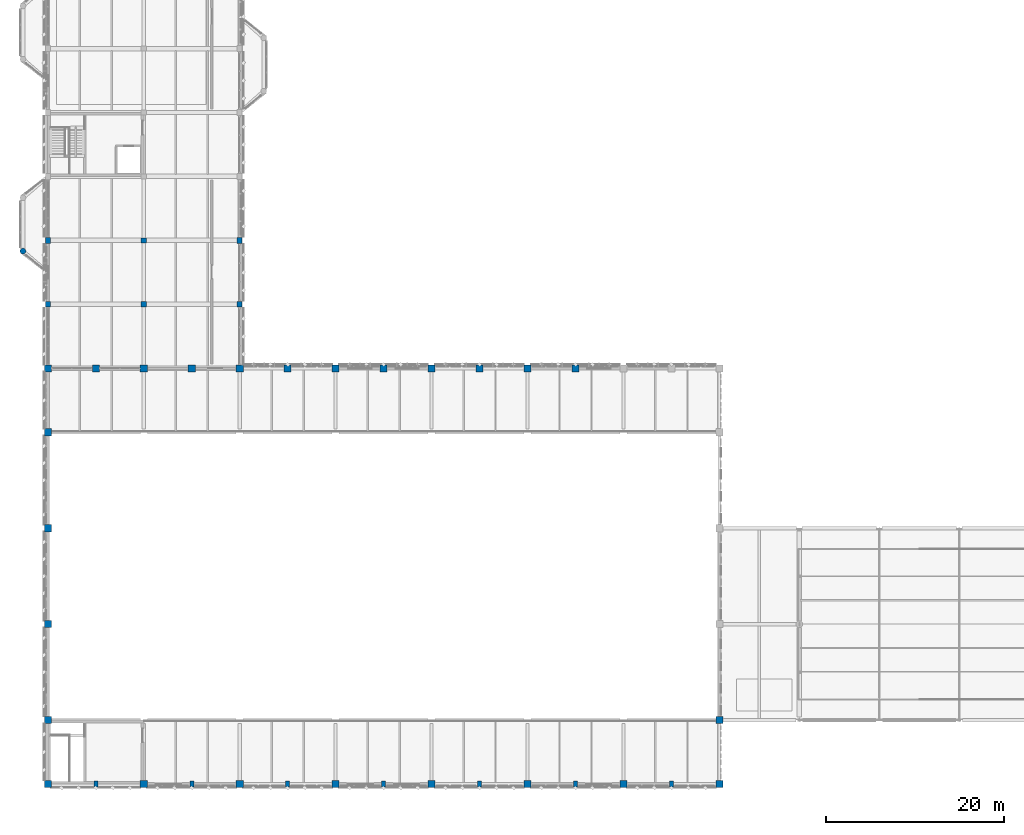
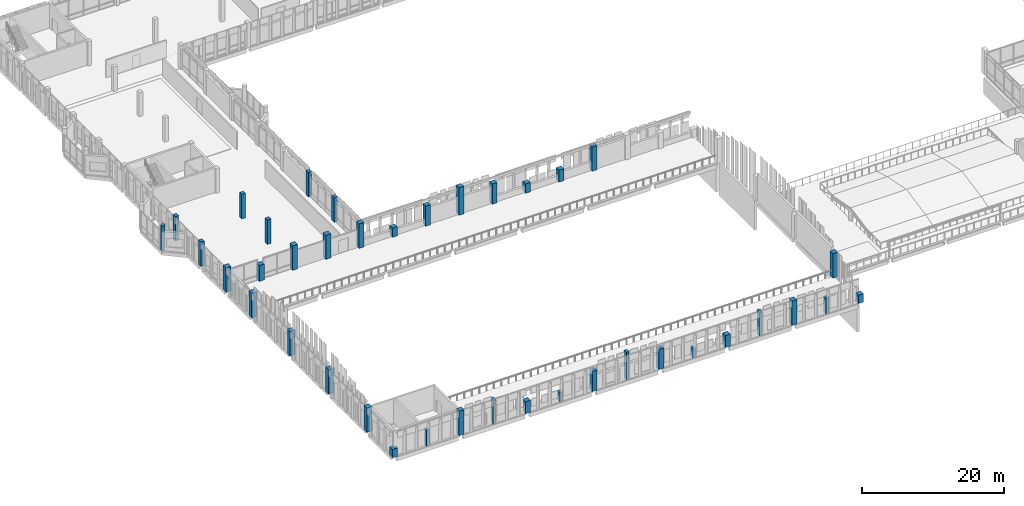
# One storey, part 1 of 158: 39 columns.
"""IFC4 building model written with IfcOpenShell, lengths in metres."""

import ifcopenshell
import ifcopenshell.guid

model = None  # the IFC model being written
_history = None  # IfcOwnerHistory: only IFC2X3 demands one
_inside = {}  # id of a spatial element -> (the spatial element, [elements in it])
_under = {}  # id of a project, library or spatial element -> (it, [spatial elements below it])
_declared = {}  # id of a project -> (the project, [libraries it declares])
_typed = {}  # id of a type object -> (the type object, [elements of that type])
_made_of = {}  # id of a material, layer set ... -> (it, [elements and type objects made of it])


def new_model(schema):
    """Start an empty IFC model of exactly this schema.

    Asked for "IFC4X3", IfcOpenShell would pick the latest addendum, in which some entities
    have other attributes; the version numbers below select the first issue.
    IFC2X3 requires an IfcOwnerHistory on every rooted entity: one is made here for all.
    """
    global model, _history
    if schema == "IFC4X3":
        model = ifcopenshell.file(schema_version=(4, 3, 0, 0))
    else:
        model = ifcopenshell.file(schema=schema)
    _inside.clear()
    _under.clear()
    _declared.clear()
    _typed.clear()
    _made_of.clear()
    _history = None
    if model.schema == "IFC2X3":
        org = make("IfcOrganization", Name="unknown")
        user = make(
            "IfcPersonAndOrganization",
            ThePerson=make("IfcPerson", FamilyName="unknown"),
            TheOrganization=org,
        )
        app = make(
            "IfcApplication",
            ApplicationDeveloper=org,
            Version="unknown",
            ApplicationFullName="unknown",
            ApplicationIdentifier="unknown",
        )
        _history = make(
            "IfcOwnerHistory",
            OwningUser=user,
            OwningApplication=app,
            ChangeAction="ADDED",
            CreationDate=0,
        )
    return model


def make(cls, **values):
    """One entity of the class cls with the attributes given. An attribute that is None is left unset."""
    return model.create_entity(
        cls, **{name: value for name, value in values.items() if value is not None}
    )


def rooted(cls, **values):
    """An entity with a GlobalId (a new one), such as an element, a storey or a relation."""
    return make(cls, GlobalId=ifcopenshell.guid.new(), OwnerHistory=_history, **values)


def si_unit(unit_type, name, prefix=None):
    """IfcSIUnit, for example si_unit("LENGTHUNIT", "METRE", prefix="MILLI")."""
    return make("IfcSIUnit", UnitType=unit_type, Prefix=prefix, Name=name)


def assignment(units):
    """IfcUnitAssignment: the units of a project."""
    return None if units is None else make("IfcUnitAssignment", Units=units)


def point(xyz):
    """IfcCartesianPoint."""
    return None if xyz is None else make("IfcCartesianPoint", Coordinates=xyz)


def direction(xyz):
    """IfcDirection."""
    return None if xyz is None else make("IfcDirection", DirectionRatios=xyz)


def frame(location, z_axis=None, x_axis=None):
    """IfcAxis2Placement3D, a coordinate frame: its origin and axes. An axis left out is left unset."""
    return make(
        "IfcAxis2Placement3D",
        Location=point(location),
        Axis=direction(z_axis),
        RefDirection=direction(x_axis),
    )


def frame_2d(location, x_axis=None):
    """IfcAxis2Placement2D, a coordinate frame in the plane: its origin and x axis."""
    return make(
        "IfcAxis2Placement2D", Location=point(location), RefDirection=direction(x_axis)
    )


def origin():
    """The frame at (0, 0, 0) with its axes left unset."""
    return frame((0.0, 0.0, 0.0))


def origin_with_axes():
    """The frame at (0, 0, 0) with the z axis (0, 0, 1) and the x axis (1, 0, 0) written out."""
    return frame((0.0, 0.0, 0.0), z_axis=(0.0, 0.0, 1.0), x_axis=(1.0, 0.0, 0.0))


def origin_2d():
    """The frame at (0, 0) in the plane with its x axis left unset."""
    return frame_2d((0.0, 0.0))


def place(relative_to, where):
    """IfcLocalPlacement: puts the frame where relative to a parent placement (None: the world)."""
    return make(
        "IfcLocalPlacement", PlacementRelTo=relative_to, RelativePlacement=where
    )


def context(
    kind, dimensions, precision=None, world=None, true_north=None, identifier=None
):
    """IfcGeometricRepresentationContext, for example the 3D "Model" context."""
    return make(
        "IfcGeometricRepresentationContext",
        ContextIdentifier=identifier,
        ContextType=kind,
        CoordinateSpaceDimension=dimensions,
        Precision=precision,
        WorldCoordinateSystem=world,
        TrueNorth=true_north,
    )


def subcontext(parent, identifier, kind, view, scale=None):
    """IfcGeometricRepresentationSubContext, for example "Body" below "Model"."""
    return make(
        "IfcGeometricRepresentationSubContext",
        ContextIdentifier=identifier,
        ContextType=kind,
        ParentContext=parent,
        TargetScale=scale,
        TargetView=view,
    )


def project(units=None, contexts=None):
    """IfcProject with its units and contexts."""
    return rooted(
        "IfcProject",
        Name="project",
        RepresentationContexts=contexts,
        UnitsInContext=assignment(units),
    )


def spatial(cls, under=None, at=None, **own):
    """A site, building, storey or space (cls), placed at a placement, below another one or the project."""
    s = rooted(cls, ObjectPlacement=at, **own)
    if under is not None:
        _under.setdefault(under.id(), (under, []))[1].append(s)
    return s


def profile(cls, at=None, kind="AREA", **sizes):
    """A parametric profile (cls). Its sizes go by their IFC names, for example OverallWidth=200.0."""
    return make(cls, ProfileType=kind, Position=at, **sizes)


def rectangle(**sizes):
    """IfcRectangleProfileDef."""
    return profile("IfcRectangleProfileDef", **sizes)


def circle(**sizes):
    """IfcCircleProfileDef."""
    return profile("IfcCircleProfileDef", **sizes)


def extrude(swept, where, along, depth):
    """IfcExtrudedAreaSolid: the profile swept, set in the frame where, extruded along a direction by depth."""
    return make(
        "IfcExtrudedAreaSolid",
        SweptArea=swept,
        Position=where,
        ExtrudedDirection=direction(along),
        Depth=depth,
    )


def shape(context_of_items, identifier, shape_type, items):
    """IfcShapeRepresentation: the items that make up one representation, for example the "Body"."""
    return make(
        "IfcShapeRepresentation",
        ContextOfItems=context_of_items,
        RepresentationIdentifier=identifier,
        RepresentationType=shape_type,
        Items=items,
    )


def material(Name=None, Category=None):
    """IfcMaterial."""
    return make("IfcMaterial", Name=Name, Category=Category)


def material_profile(
    of_material, cross_section, Name=None, Category=None, Priority=None
):
    """IfcMaterialProfile: a cross section and its material."""
    return make(
        "IfcMaterialProfile",
        Name=Name,
        Material=of_material,
        Profile=cross_section,
        Priority=Priority,
        Category=Category,
    )


def profile_set(profiles, Name=None, composite=None):
    """IfcMaterialProfileSet."""
    return make(
        "IfcMaterialProfileSet",
        Name=Name,
        MaterialProfiles=profiles,
        CompositeProfile=composite,
    )


def made_of(thing, what):
    """Note that an element or type object is made of a material, layer set ...; save() writes the relation."""
    if what is not None:
        _made_of.setdefault(what.id(), (what, []))[1].append(thing)
    return thing


def type_object(cls, material=None, **own):
    """A type object (cls), such as IfcWallType, which elements share."""
    return made_of(rooted(cls, **own), material)


def element(
    cls,
    number,
    at=None,
    inside=None,
    cuts=None,
    type_object=None,
    material=None,
    context=None,
    identifier="Body",
    shape_type=None,
    held_by="IfcProductDefinitionShape",
    body=None,
    shapes=None,
    **own,
):
    """One element of the class cls, such as IfcWall. Its Tag is "e" and its number.

    at: its placement. inside: the storey or other place that contains it. cuts: it is an
    opening in that element (IfcRelVoidsElement). A single representation is given by context,
    identifier, shape_type and body (its items); several are given by shapes. held_by: the class
    of the entity that holds the representations. save() writes the other relations.
    """
    e = rooted(cls, Tag="e%d" % number, ObjectPlacement=at, **own)
    if body is not None:
        shapes = [shape(context, identifier, shape_type, body)]
    if shapes is not None:
        e.Representation = make(held_by, Representations=shapes)
    if inside is not None:
        _inside.setdefault(inside.id(), (inside, []))[1].append(e)
    if cuts is not None:
        rooted(
            "IfcRelVoidsElement", RelatingBuildingElement=cuts, RelatedOpeningElement=e
        )
    if type_object is not None:
        _typed.setdefault(type_object.id(), (type_object, []))[1].append(e)
    return made_of(e, material)


def aggregate(whole, parts):
    """IfcRelAggregates: a whole, such as a stair, and the parts it consists of."""
    return rooted("IfcRelAggregates", RelatingObject=whole, RelatedObjects=parts)


def save(model, path):
    """Write the relations noted so far, then the file.

    IfcRelAggregates (storeys below a building ...), IfcRelContainedInSpatialStructure (elements
    in a storey), IfcRelDefinesByType, IfcRelAssociatesMaterial and IfcRelDeclares: one each for
    every whole, place, type object, material and project.
    """
    for whole, parts in _under.values():
        aggregate(whole, parts)
    for where, things in _inside.values():
        rooted(
            "IfcRelContainedInSpatialStructure",
            RelatedElements=things,
            RelatingStructure=where,
        )
    for kind, things in _typed.values():
        rooted("IfcRelDefinesByType", RelatedObjects=things, RelatingType=kind)
    for what, things in _made_of.values():
        rooted("IfcRelAssociatesMaterial", RelatedObjects=things, RelatingMaterial=what)
    for by, libraries in _declared.values():
        rooted("IfcRelDeclares", RelatingContext=by, RelatedDefinitions=libraries)
    model.write(path)


model = new_model("IFC4")

# Units and contexts
model_context = context("Model", 3, precision=1e-05, world=origin(), true_north=direction((0.0, 1.0)))
body_context = subcontext(model_context, "Body", "Model", "MODEL_VIEW")
ifc_project = project(units=[si_unit("LENGTHUNIT", "METRE"), si_unit("AREAUNIT", "SQUARE_METRE"), si_unit("VOLUMEUNIT", "CUBIC_METRE"), si_unit("PLANEANGLEUNIT", "RADIAN"), si_unit("MASSUNIT", "GRAM", prefix="KILO")], contexts=[model_context])

# Site, building, storey
site_placement = place(None, origin())
site = spatial("IfcSite", under=ifc_project, at=site_placement, CompositionType="ELEMENT")
building_placement = place(site_placement, origin())
building = spatial("IfcBuilding", under=site, at=building_placement, Name="Lusvemor Sports Hall", CompositionType="ELEMENT")
storey_placement = place(building_placement, frame((0.0, 0.0, 10.800048828125)))
storey = spatial("IfcBuildingStorey", under=building, at=storey_placement, Name="L02", CompositionType="ELEMENT", Elevation=10.800048828125)

# Columns
ifc_material_1 = material(Name="Concrete C40/50", Category="concrete")
ifc_material_profile_1 = material_profile(ifc_material_1, circle(Radius=0.324951171875, at=origin_2d()), Name="RCCIRC650")
ifc_profile_set_1 = profile_set([ifc_material_profile_1], Name="Concrete C40/50")
column_type_1 = type_object("IfcColumnType", Name="COL_COLONNADE", PredefinedType="COLUMN", material=ifc_profile_set_1)
column_1_placement = place(storey_placement, frame((-2.800048828125, 60.0, 0.0), z_axis=(0.0, 0.0, 1.0), x_axis=(1.0, 0.0, 0.0)))
element("IfcColumn", 1, at=column_1_placement, inside=storey, type_object=column_type_1, Name="Art Nouveau Bow Column BOW-W1-1 (L02)", PredefinedType="COLUMN", context=body_context, shape_type="SweptSolid", body=[
    extrude(circle(Radius=0.324951171875, at=origin_2d()), origin(), (0.0, 0.0, 1.0), 4.199951171875),
])
ifc_material_2 = material(Name="Concrete C40/50", Category="concrete")
ifc_material_profile_2 = material_profile(ifc_material_2, rectangle(XDim=0.800048828125, YDim=0.800048828125, at=origin_2d()), Name="RC800x800")
ifc_profile_set_2 = profile_set([ifc_material_profile_2], Name="Concrete C40/50")
column_type_2 = type_object("IfcColumnType", Name="COL_HALL_W", PredefinedType="COLUMN", material=ifc_profile_set_2)
column_2_placement = place(storey_placement, origin_with_axes())
element("IfcColumn", 2, at=column_2_placement, inside=storey, type_object=column_type_2, Name="Column 1/A (L02)", PredefinedType="COLUMN", context=body_context, shape_type="SweptSolid", body=[
    extrude(rectangle(XDim=0.800048828125, YDim=0.800048828125, at=origin_2d()), origin(), (0.0, 0.0, 1.0), 1.429931640625),
])
for number, where, z_axis, x_axis, name in (
    (3, (0.0, 7.199951171875, 0.0), (0.0, 0.0, 1.0), (1.0, 0.0, 0.0), "Column 1/B (L02)"),
    (4, (0.0, 18.0, 0.0), (0.0, 0.0, 1.0), (1.0, 0.0, 0.0), "Column 1/C (L02)"),
    (5, (0.0, 28.800048828125, 0.0), (0.0, 0.0, 1.0), (1.0, 0.0, 0.0), "Column 1/D (L02)"),
    (6, (0.0, 39.60009765625, 0.0), (0.0, 0.0, 1.0), (1.0, 0.0, 0.0), "Column 1/E (L02)"),
    (7, (0.0, 46.800048828125, 0.0), (0.0, 0.0, 1.0), (1.0, 0.0, 0.0), "Column 1/F (L02)"),
    (8, (10.800048828125, 0.0, 0.0), (0.0, 0.0, 1.0), (1.0, 0.0, 0.0), "Column 2/A (L02)"),
    (9, (10.800048828125, 46.800048828125, 0.0), (0.0, 0.0, 1.0), (1.0, 0.0, 0.0), "Column 2/F (L02)"),
):
    element("IfcColumn", number, at=place(storey_placement, frame(where, z_axis=z_axis, x_axis=x_axis)), inside=storey, type_object=column_type_2, Name=name, PredefinedType="COLUMN", context=body_context, shape_type="SweptSolid", body=[
        extrude(rectangle(XDim=0.800048828125, YDim=0.800048828125, at=origin_2d()), origin(), (0.0, 0.0, 1.0), 4.199951171875),
    ])
column_3_placement = place(storey_placement, frame((21.60009765625, 0.0, 0.0), z_axis=(0.0, 0.0, 1.0), x_axis=(1.0, 0.0, 0.0)))
element("IfcColumn", 10, at=column_3_placement, inside=storey, type_object=column_type_2, Name="Column 3/A (L02)", PredefinedType="COLUMN", context=body_context, shape_type="SweptSolid", body=[
    extrude(rectangle(XDim=0.800048828125, YDim=0.800048828125, at=origin_2d()), origin(), (0.0, 0.0, 1.0), 2.054931640625),
])
column_4_placement = place(storey_placement, frame((21.60009765625, 46.800048828125, 0.0), z_axis=(0.0, 0.0, 1.0), x_axis=(1.0, 0.0, 0.0)))
element("IfcColumn", 11, at=column_4_placement, inside=storey, type_object=column_type_2, Name="Column 3/F (L02)", PredefinedType="COLUMN", context=body_context, shape_type="SweptSolid", body=[
    extrude(rectangle(XDim=0.800048828125, YDim=0.800048828125, at=origin_2d()), origin(), (0.0, 0.0, 1.0), 4.199951171875),
])
for number, where, z_axis, x_axis, name in (
    (12, (32.39990234375, 0.0, 0.0), (0.0, 0.0, 1.0), (1.0, 0.0, 0.0), "Column 4/A (L02)"),
    (13, (32.39990234375, 46.800048828125, 0.0), (0.0, 0.0, 1.0), (1.0, 0.0, 0.0), "Column 4/F (L02)"),
    (14, (43.199951171875, 0.0, 0.0), (0.0, 0.0, 1.0), (1.0, 0.0, 0.0), "Column 5/A (L02)"),
    (15, (43.199951171875, 46.800048828125, 0.0), (0.0, 0.0, 1.0), (1.0, 0.0, 0.0), "Column 5/F (L02)"),
):
    element("IfcColumn", number, at=place(storey_placement, frame(where, z_axis=z_axis, x_axis=x_axis)), inside=storey, type_object=column_type_2, Name=name, PredefinedType="COLUMN", context=body_context, shape_type="SweptSolid", body=[
        extrude(rectangle(XDim=0.800048828125, YDim=0.800048828125, at=origin_2d()), origin(), (0.0, 0.0, 1.0), 3.459228515625),
    ])
for number, where, z_axis, x_axis, name in (
    (16, (54.0, 0.0, 0.0), (0.0, 0.0, 1.0), (1.0, 0.0, 0.0), "Column 6/A (L02)"),
    (17, (54.0, 46.800048828125, 0.0), (0.0, 0.0, 1.0), (1.0, 0.0, 0.0), "Column 6/F (L02)"),
):
    element("IfcColumn", number, at=place(storey_placement, frame(where, z_axis=z_axis, x_axis=x_axis)), inside=storey, type_object=column_type_2, Name=name, PredefinedType="COLUMN", context=body_context, shape_type="SweptSolid", body=[
        extrude(rectangle(XDim=0.800048828125, YDim=0.800048828125, at=origin_2d()), origin(), (0.0, 0.0, 1.0), 2.054931640625),
    ])
column_5_placement = place(storey_placement, frame((64.800048828125, 0.0, 0.0), z_axis=(0.0, 0.0, 1.0), x_axis=(1.0, 0.0, 0.0)))
element("IfcColumn", 18, at=column_5_placement, inside=storey, type_object=column_type_2, Name="Column 7/A (L02)", PredefinedType="COLUMN", context=body_context, shape_type="SweptSolid", body=[
    extrude(rectangle(XDim=0.800048828125, YDim=0.800048828125, at=origin_2d()), origin(), (0.0, 0.0, 1.0), 4.199951171875),
])
column_6_placement = place(storey_placement, frame((75.60009765625, 0.0, 0.0), z_axis=(0.0, 0.0, 1.0), x_axis=(1.0, 0.0, 0.0)))
element("IfcColumn", 19, at=column_6_placement, inside=storey, type_object=column_type_2, Name="Column 8/A (L02)", PredefinedType="COLUMN", context=body_context, shape_type="SweptSolid", body=[
    extrude(rectangle(XDim=0.800048828125, YDim=0.800048828125, at=origin_2d()), origin(), (0.0, 0.0, 1.0), 1.429931640625),
])
column_7_placement = place(storey_placement, frame((75.60009765625, 7.199951171875, 0.0), z_axis=(0.0, 0.0, 1.0), x_axis=(1.0, 0.0, 0.0)))
element("IfcColumn", 20, at=column_7_placement, inside=storey, type_object=column_type_2, Name="Column 8/B (L02)", PredefinedType="COLUMN", context=body_context, shape_type="SweptSolid", body=[
    extrude(rectangle(XDim=0.800048828125, YDim=0.800048828125, at=origin_2d()), origin(), (0.0, 0.0, 1.0), 4.199951171875),
])
column_8_placement = place(storey_placement, frame((5.39990234375, 46.800048828125, 0.0), z_axis=(0.0, 0.0, 1.0), x_axis=(1.0, 0.0, 0.0)))
element("IfcColumn", 21, at=column_8_placement, inside=storey, type_object=column_type_2, Name="Wave North Eave Column N1 (L02)", PredefinedType="COLUMN", context=body_context, shape_type="SweptSolid", body=[
    extrude(rectangle(XDim=0.800048828125, YDim=0.800048828125, at=origin_2d()), origin(), (0.0, 0.0, 1.0), 2.720458984375),
])
column_9_placement = place(storey_placement, frame((16.199951171875, 46.800048828125, 0.0), z_axis=(0.0, 0.0, 1.0), x_axis=(1.0, 0.0, 0.0)))
element("IfcColumn", 22, at=column_9_placement, inside=storey, type_object=column_type_2, Name="Wave North Eave Column N2 (L02)", PredefinedType="COLUMN", context=body_context, shape_type="SweptSolid", body=[
    extrude(rectangle(XDim=0.800048828125, YDim=0.800048828125, at=origin_2d()), origin(), (0.0, 0.0, 1.0), 4.125),
])
column_10_placement = place(storey_placement, frame((27.0, 46.800048828125, 0.0), z_axis=(0.0, 0.0, 1.0), x_axis=(1.0, 0.0, 0.0)))
element("IfcColumn", 23, at=column_10_placement, inside=storey, type_object=column_type_2, Name="Wave North Eave Column N3 (L02)", PredefinedType="COLUMN", context=body_context, shape_type="SweptSolid", body=[
    extrude(rectangle(XDim=0.800048828125, YDim=0.800048828125, at=origin_2d()), origin(), (0.0, 0.0, 1.0), 1.59423828125),
])
column_11_placement = place(storey_placement, frame((37.800048828125, 46.800048828125, 0.0), z_axis=(0.0, 0.0, 1.0), x_axis=(1.0, 0.0, 0.0)))
element("IfcColumn", 24, at=column_11_placement, inside=storey, type_object=column_type_2, Name="Wave North Eave Column N4 (L02)", PredefinedType="COLUMN", context=body_context, shape_type="SweptSolid", body=[
    extrude(rectangle(XDim=0.800048828125, YDim=0.800048828125, at=origin_2d()), origin(), (0.0, 0.0, 1.0), 4.75),
])
column_12_placement = place(storey_placement, frame((48.60009765625, 46.800048828125, 0.0), z_axis=(0.0, 0.0, 1.0), x_axis=(1.0, 0.0, 0.0)))
element("IfcColumn", 25, at=column_12_placement, inside=storey, type_object=column_type_2, Name="Wave North Eave Column N5 (L02)", PredefinedType="COLUMN", context=body_context, shape_type="SweptSolid", body=[
    extrude(rectangle(XDim=0.800048828125, YDim=0.800048828125, at=origin_2d()), origin(), (0.0, 0.0, 1.0), 1.59423828125),
])
column_13_placement = place(storey_placement, frame((59.39990234375, 46.800048828125, 0.0), z_axis=(0.0, 0.0, 1.0), x_axis=(1.0, 0.0, 0.0)))
element("IfcColumn", 26, at=column_13_placement, inside=storey, type_object=column_type_2, Name="Wave North Eave Column N6 (L02)", PredefinedType="COLUMN", context=body_context, shape_type="SweptSolid", body=[
    extrude(rectangle(XDim=0.800048828125, YDim=0.800048828125, at=origin_2d()), origin(), (0.0, 0.0, 1.0), 4.125),
])
ifc_material_3 = material(Name="Concrete C40/50", Category="concrete")
ifc_material_profile_3 = material_profile(ifc_material_3, rectangle(XDim=0.56005859375, YDim=0.639892578125, at=origin_2d()), Name="RC560x640")
ifc_profile_set_3 = profile_set([ifc_material_profile_3], Name="Concrete C40/50")
column_type_3 = type_object("IfcColumnType", Name="COL_WING_E", PredefinedType="COLUMN", material=ifc_profile_set_3)
for number, where, z_axis, x_axis, name in (
    (27, (0.0, 54.0, 0.0), (0.0, 0.0, 1.0), (1.0, 0.0, 0.0), "Column 1/G (L02)"),
    (28, (0.0, 61.199951171875, 0.0), (0.0, 0.0, 1.0), (1.0, 0.0, 0.0), "Column 1/H (L02)"),
    (29, (21.60009765625, 54.0, 0.0), (0.0, 0.0, 1.0), (1.0, 0.0, 0.0), "Column 3/G (L02)"),
    (30, (21.60009765625, 61.199951171875, 0.0), (0.0, 0.0, 1.0), (1.0, 0.0, 0.0), "Column 3/H (L02)"),
):
    element("IfcColumn", number, at=place(storey_placement, frame(where, z_axis=z_axis, x_axis=x_axis)), inside=storey, type_object=column_type_3, Name=name, PredefinedType="COLUMN", context=body_context, shape_type="SweptSolid", body=[
        extrude(rectangle(XDim=0.56005859375, YDim=0.639892578125, at=origin_2d()), origin(), (0.0, 0.0, 1.0), 4.199951171875),
    ])
ifc_material_4 = material(Name="Concrete C40/50", Category="concrete")
ifc_material_profile_4 = material_profile(ifc_material_4, rectangle(XDim=0.60009765625, YDim=0.60009765625, at=origin_2d()), Name="RC600x600")
ifc_profile_set_4 = profile_set([ifc_material_profile_4], Name="Concrete C40/50")
column_type_4 = type_object("IfcColumnType", Name="COL_WING_L", PredefinedType="COLUMN", material=ifc_profile_set_4)
for number, where, z_axis, x_axis, name in (
    (31, (10.800048828125, 54.0, 0.0), (0.0, 0.0, 1.0), (1.0, 0.0, 0.0), "Column 2/G (L02)"),
    (32, (10.800048828125, 61.199951171875, 0.0), (0.0, 0.0, 1.0), (1.0, 0.0, 0.0), "Column 2/H (L02)"),
):
    element("IfcColumn", number, at=place(storey_placement, frame(where, z_axis=z_axis, x_axis=x_axis)), inside=storey, type_object=column_type_4, Name=name, PredefinedType="COLUMN", context=body_context, shape_type="SweptSolid", body=[
        extrude(rectangle(XDim=0.60009765625, YDim=0.60009765625, at=origin_2d()), origin(), (0.0, 0.0, 1.0), 4.199951171875),
    ])
ifc_material_5 = material(Name="Concrete C40/50", Category="concrete")
ifc_material_profile_5 = material_profile(ifc_material_5, rectangle(XDim=0.449951171875, YDim=0.64990234375, at=origin_2d()), Name="RC450x650")
ifc_profile_set_5 = profile_set([ifc_material_profile_5], Name="Concrete C40/50")
column_type_5 = type_object("IfcColumnType", Name="PIL_BOUL_E", PredefinedType="PILASTER", material=ifc_profile_set_5)
column_14_placement = place(storey_placement, frame((16.199951171875, 0.0, 0.0), z_axis=(0.0, 0.0, 1.0), x_axis=(1.0, 0.0, 0.0)))
element("IfcColumn", 33, at=column_14_placement, inside=storey, type_object=column_type_5, Name="Boulevard Pilaster S1 (L02)", PredefinedType="PILASTER", context=body_context, shape_type="SweptSolid", body=[
    extrude(rectangle(XDim=0.449951171875, YDim=0.64990234375, at=origin_2d()), origin(), (0.0, 0.0, 1.0), 4.125),
])
column_15_placement = place(storey_placement, frame((27.0, 0.0, 0.0), z_axis=(0.0, 0.0, 1.0), x_axis=(1.0, 0.0, 0.0)))
element("IfcColumn", 34, at=column_15_placement, inside=storey, type_object=column_type_5, Name="Boulevard Pilaster S2 (L02)", PredefinedType="PILASTER", context=body_context, shape_type="SweptSolid", body=[
    extrude(rectangle(XDim=0.449951171875, YDim=0.64990234375, at=origin_2d()), origin(), (0.0, 0.0, 1.0), 1.59423828125),
])
column_16_placement = place(storey_placement, frame((37.800048828125, 0.0, 0.0), z_axis=(0.0, 0.0, 1.0), x_axis=(1.0, 0.0, 0.0)))
element("IfcColumn", 35, at=column_16_placement, inside=storey, type_object=column_type_5, Name="Boulevard Pilaster S3 (L02)", PredefinedType="PILASTER", context=body_context, shape_type="SweptSolid", body=[
    extrude(rectangle(XDim=0.449951171875, YDim=0.64990234375, at=origin_2d()), origin(), (0.0, 0.0, 1.0), 4.75),
])
column_17_placement = place(storey_placement, frame((48.60009765625, 0.0, 0.0), z_axis=(0.0, 0.0, 1.0), x_axis=(1.0, 0.0, 0.0)))
element("IfcColumn", 36, at=column_17_placement, inside=storey, type_object=column_type_5, Name="Boulevard Pilaster S4 (L02)", PredefinedType="PILASTER", context=body_context, shape_type="SweptSolid", body=[
    extrude(rectangle(XDim=0.449951171875, YDim=0.64990234375, at=origin_2d()), origin(), (0.0, 0.0, 1.0), 1.59423828125),
])
column_18_placement = place(storey_placement, frame((59.39990234375, 0.0, 0.0), z_axis=(0.0, 0.0, 1.0), x_axis=(1.0, 0.0, 0.0)))
element("IfcColumn", 37, at=column_18_placement, inside=storey, type_object=column_type_5, Name="Boulevard Pilaster S5 (L02)", PredefinedType="PILASTER", context=body_context, shape_type="SweptSolid", body=[
    extrude(rectangle(XDim=0.449951171875, YDim=0.64990234375, at=origin_2d()), origin(), (0.0, 0.0, 1.0), 4.125),
])
for number, where, z_axis, x_axis, name in (
    (38, (70.199951171875, 0.0, 0.0), (0.0, 0.0, 1.0), (1.0, 0.0, 0.0), "Boulevard Pilaster S6 (L02)"),
    (39, (5.39990234375, 0.0, 0.0), (0.0, 0.0, 1.0), (1.0, 0.0, 0.0), "Boulevard Pilaster S0 (L02)"),
):
    element("IfcColumn", number, at=place(storey_placement, frame(where, z_axis=z_axis, x_axis=x_axis)), inside=storey, type_object=column_type_5, Name=name, PredefinedType="PILASTER", context=body_context, shape_type="SweptSolid", body=[
        extrude(rectangle(XDim=0.449951171875, YDim=0.64990234375, at=origin_2d()), origin(), (0.0, 0.0, 1.0), 2.720458984375),
    ])

save(model, "model.ifc")
